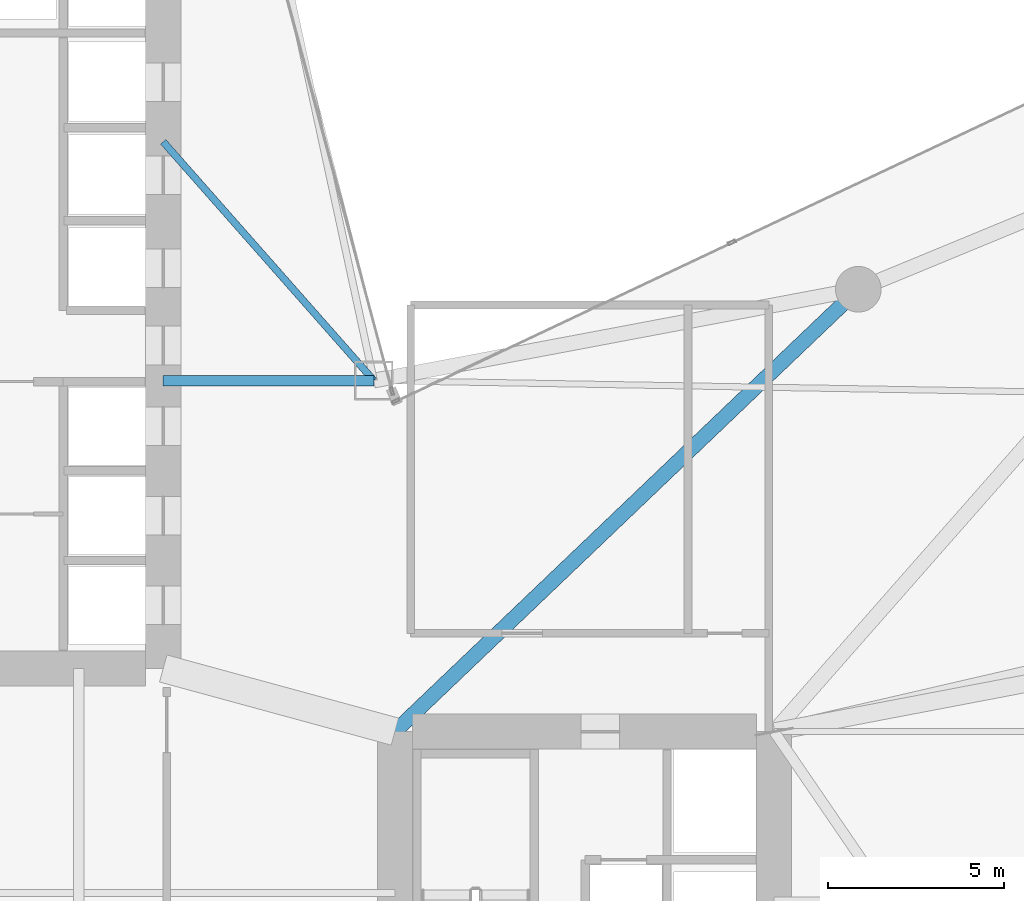
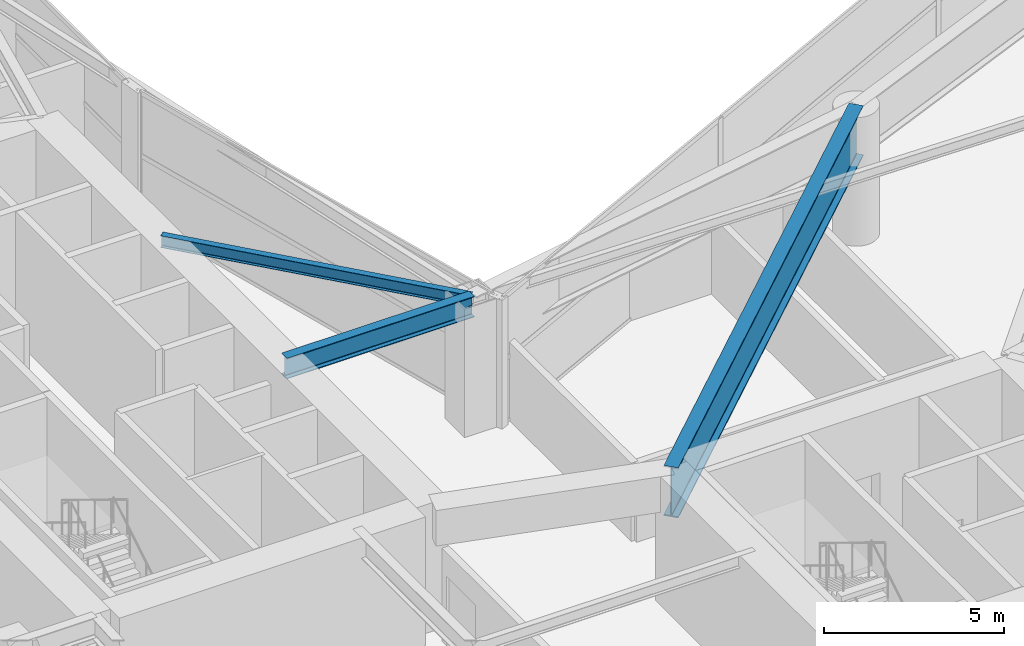
# One storey, part 2 of 18: 3 beams.
"""IFC4 building model written with IfcOpenShell, lengths in metres."""

from ifc_helpers import new_model, si_unit, direction, frame, origin, origin_2d, place, context, subcontext, project, spatial, i_section, extrude, material, material_profile, profile_set, type_object, element, save


model = new_model("IFC4")

# Units and contexts
model_context = context("Model", 3, precision=1e-05, world=origin(), true_north=direction((0.0, 1.0)))
body_context = subcontext(model_context, "Body", "Model", "MODEL_VIEW")
ifc_project = project(units=[si_unit("LENGTHUNIT", "METRE"), si_unit("AREAUNIT", "SQUARE_METRE"), si_unit("VOLUMEUNIT", "CUBIC_METRE"), si_unit("PLANEANGLEUNIT", "RADIAN"), si_unit("MASSUNIT", "GRAM", prefix="KILO")], contexts=[model_context])

# Site, building, storey
site_placement = place(None, origin())
site = spatial("IfcSite", under=ifc_project, at=site_placement, CompositionType="ELEMENT")
building_placement = place(site_placement, origin())
building = spatial("IfcBuilding", under=site, at=building_placement, Name="Calvorn Quay Hotel", CompositionType="ELEMENT")
storey_placement = place(building_placement, frame((0.0, 0.0, 92.60009765625)))
storey = spatial("IfcBuildingStorey", under=building, at=storey_placement, Name="L22", CompositionType="ELEMENT", Elevation=92.60009765625)

# Beams
ifc_material_1 = material(Name="Steel Q390GJC", Category="steel")
ifc_material_profile_1 = material_profile(ifc_material_1, i_section(OverallWidth=0.300048828125, OverallDepth=0.699951171875, WebThickness=0.012939453125, FlangeThickness=0.02392578125, FilletRadius=0.02392578125, at=origin_2d()), Name="HN700x300x13x24")
ifc_profile_set_1 = profile_set([ifc_material_profile_1], Name="Steel Q390GJC")
beam_type_1 = type_object("IfcBeamType", Name="BM-GIRD-MAIN", PredefinedType="BEAM", material=ifc_profile_set_1)
beam_1_placement = place(storey_placement, frame((21.0, 25.0, 4.0), z_axis=(-1.0, 0.0, 0.0), x_axis=(0.0, -1.0, 0.0)))
element("IfcBeam", 1, at=beam_1_placement, inside=storey, type_object=beam_type_1, Name="Beam BG-L22-W7", PredefinedType="BEAM", context=body_context, shape_type="SweptSolid", body=[
    extrude(i_section(OverallWidth=0.300048828125, OverallDepth=0.699951171875, WebThickness=0.012939453125, FlangeThickness=0.02392578125, FilletRadius=0.02392578125, at=origin_2d()), origin(), (0.0, 0.0, 1.0), 6.0),
])
ifc_material_2 = material(Name="Steel Q355B", Category="steel")
ifc_material_profile_2 = material_profile(ifc_material_2, i_section(OverallWidth=0.199951171875, OverallDepth=0.39990234375, WebThickness=0.008056640625, FlangeThickness=0.012939453125, FilletRadius=0.01611328125, at=origin_2d()), Name="HN400x200x8x13")
ifc_profile_set_2 = profile_set([ifc_material_profile_2], Name="Steel Q355B")
beam_type_2 = type_object("IfcBeamType", Name="BM-JOIST-TYP", PredefinedType="JOIST", material=ifc_profile_set_2)
beam_2_placement = place(storey_placement, frame((15.0, 31.800048828125, 4.14990234375), z_axis=(0.661618965899, -0.749840212287, 0.0), x_axis=(0.749840212287, 0.661618965899, 0.0)))
element("IfcBeam", 2, at=beam_2_placement, inside=storey, type_object=beam_type_2, Name="Beam BJ-L22-C1", PredefinedType="JOIST", context=body_context, shape_type="SweptSolid", body=[
    extrude(i_section(OverallWidth=0.199951171875, OverallDepth=0.39990234375, WebThickness=0.008056640625, FlangeThickness=0.012939453125, FilletRadius=0.01611328125, at=origin_2d()), origin(), (0.0, 0.0, 1.0), 9.068603515625),
])
ifc_material_3 = material(Name="Steel Q420GJC", Category="steel")
ifc_material_profile_3 = material_profile(ifc_material_3, i_section(OverallWidth=0.419921875, OverallDepth=1.699951171875, WebThickness=0.02392578125, FlangeThickness=0.0419921875, FilletRadius=0.02392578125, at=origin_2d()), Name="HN1700x420x24x42")
ifc_profile_set_3 = profile_set([ifc_material_profile_3], Name="Steel Q420GJC")
beam_type_3 = type_object("IfcBeamType", Name="BM-XFER-SAWTOOTH", PredefinedType="BEAM", material=ifc_profile_set_3)
beam_3_placement = place(storey_placement, frame((21.60009765625, 15.0, 3.5), z_axis=(0.723351595578, 0.690479883252, 0.0), x_axis=(-0.690479883252, 0.723351595578, 0.0)))
element("IfcBeam", 3, at=beam_3_placement, inside=storey, type_object=beam_type_3, Name="Beam BG-L22-E4", PredefinedType="BEAM", context=body_context, shape_type="SweptSolid", body=[
    extrude(i_section(OverallWidth=0.419921875, OverallDepth=1.699951171875, WebThickness=0.02392578125, FlangeThickness=0.0419921875, FilletRadius=0.02392578125, at=origin_2d()), origin(), (0.0, 0.0, 1.0), 18.248291015625),
])

save(model, "model.ifc")
